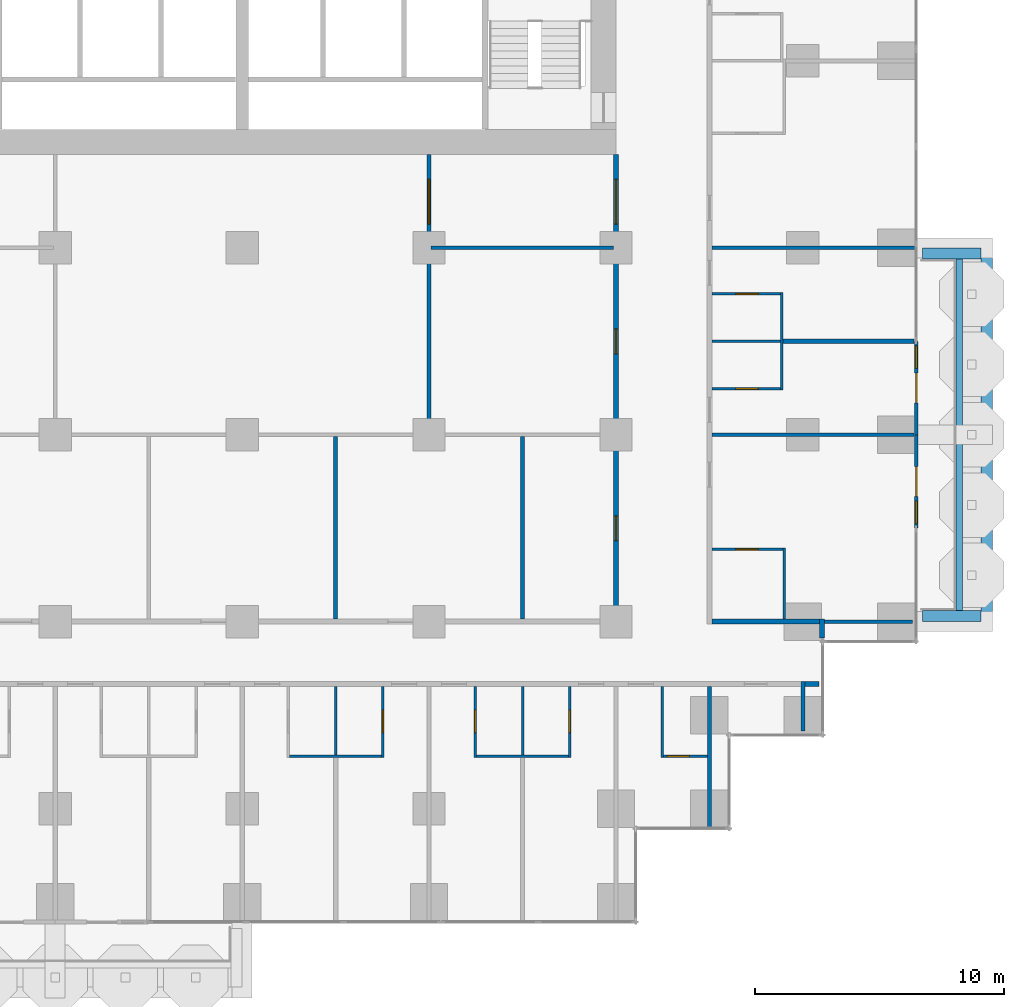
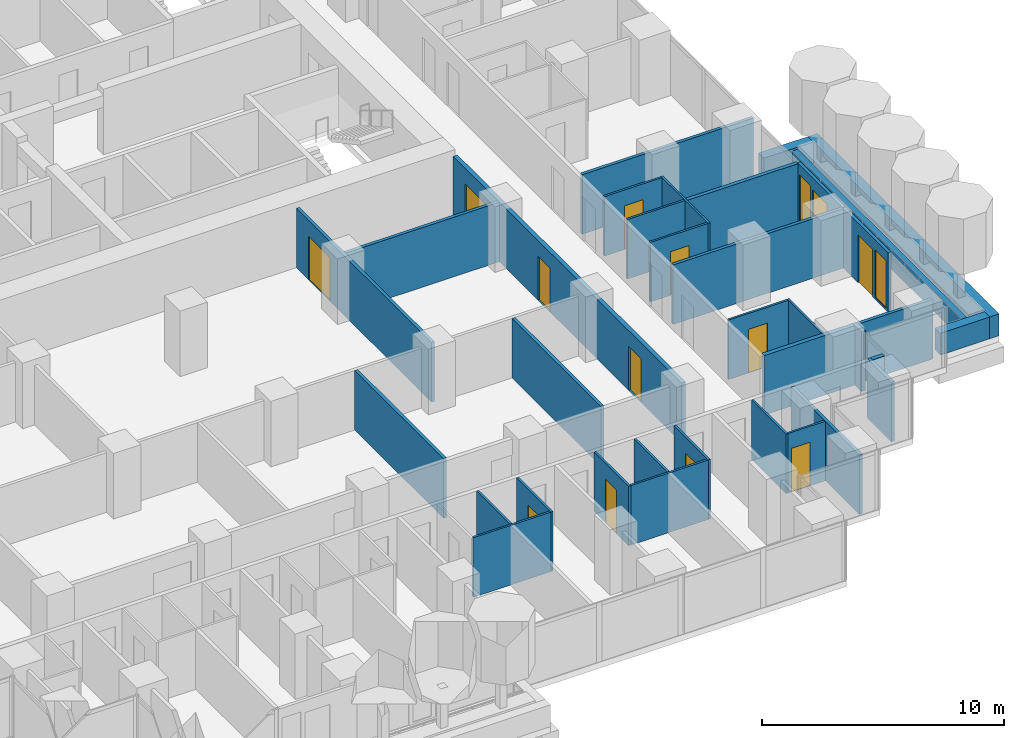
# One storey, part 12 of 19: 35 walls, 13 doors, 2 windows, 15 openings.
"""IFC4 building model written with IfcOpenShell, lengths in metres."""

from ifc_helpers import new_model, si_unit, direction, frame, frame_2d, origin, place, context, subcontext, project, spatial, rectangle, extrude, material, layer, layer_set, type_object, element, fill, save


model = new_model("IFC4")

# Units and contexts
model_context = context("Model", 3, precision=1e-05, world=origin(), true_north=direction((0.0, 1.0)))
body_context = subcontext(model_context, "Body", "Model", "MODEL_VIEW")
ifc_project = project(units=[si_unit("LENGTHUNIT", "METRE"), si_unit("AREAUNIT", "SQUARE_METRE"), si_unit("VOLUMEUNIT", "CUBIC_METRE"), si_unit("PLANEANGLEUNIT", "RADIAN"), si_unit("MASSUNIT", "GRAM", prefix="KILO")], contexts=[model_context])

# Site, building, storey
site_placement = place(None, origin())
site = spatial("IfcSite", under=ifc_project, at=site_placement, CompositionType="ELEMENT")
building_placement = place(site_placement, origin())
building = spatial("IfcBuilding", under=site, at=building_placement, Name="Pilkhan Gate Tower", CompositionType="ELEMENT")
storey_placement = place(building_placement, frame((0.0, 0.0, 95.60009765625)))
storey = spatial("IfcBuildingStorey", under=building, at=storey_placement, Name="L23", CompositionType="ELEMENT", Elevation=95.60009765625)

# Walls
ifc_material_1 = material(Name="Dense blockwork", Category="masonry")
ifc_layer_1 = layer(ifc_material_1, 0.175048828125)
ifc_layer_set_1 = layer_set([ifc_layer_1], Name="Acoustic party wall PW175")
wall_type_1 = type_object("IfcWallType", Name="Acoustic party wall PW175", PredefinedType="PARTITIONING", material=ifc_layer_set_1)
wall_1_placement = place(storey_placement, frame((96.699951171875, 63.75, 0.0), z_axis=(0.0, 0.0, 1.0), x_axis=(1.0, 0.0, 0.0)))
element("IfcWall", 1, at=wall_1_placement, inside=storey, type_object=wall_type_1, Name="Partition L23", PredefinedType="PARTITIONING", context=body_context, shape_type="SweptSolid", body=[
    extrude(rectangle(XDim=5.260009765625, YDim=0.175048828125, at=frame_2d((2.6298828125, 0.0))), origin(), (0.0, 0.0, 1.0), 3.0),
])
ifc_material_2 = material(Name="Concrete C40/50", Category="concrete")
ifc_layer_2 = layer(ifc_material_2, 0.25)
ifc_layer_set_2 = layer_set([ifc_layer_2], Name="Balcony planter BP250")
wall_type_2 = type_object("IfcWallType", Name="Balcony planter BP250", PredefinedType="USERDEFINED", material=ifc_layer_set_2)
wall_2_placement = place(storey_placement, frame((103.77490234375, 52.949951171875, 0.0), z_axis=(0.0, 0.0, 1.0), x_axis=(0.0, 1.0, 0.0)))
element("IfcWall", 2, at=wall_2_placement, inside=storey, type_object=wall_type_2, Name="Balcony planter L23 E", ObjectType="BALCONY PLANTER", PredefinedType="USERDEFINED", context=body_context, shape_type="SweptSolid", body=[
    extrude(rectangle(XDim=14.10009765625, YDim=0.25, at=frame_2d((7.050048828125, 0.0))), origin(), (0.0, 0.0, 1.0), 1.0),
])
ifc_material_3 = material(Name="Board-marked Concrete C40/50", Category="concrete")
ifc_layer_3 = layer(ifc_material_3, 0.449951171875)
ifc_layer_set_3 = layer_set([ifc_layer_3], Name="Balcony planter lip BL450")
wall_type_3 = type_object("IfcWallType", Name="Balcony planter lip BL450", PredefinedType="USERDEFINED", material=ifc_layer_set_3)
wall_3_placement = place(storey_placement, frame((104.875, 52.5, 0.0), z_axis=(0.0, 0.0, 1.0), x_axis=(0.0, 1.0, 0.0)))
element("IfcWall", 3, at=wall_3_placement, inside=storey, type_object=wall_type_3, Name="Balcony planter L23 E", ObjectType="BALCONY PLANTER", PredefinedType="USERDEFINED", context=body_context, shape_type="SweptSolid", body=[
    extrude(rectangle(XDim=15.0, YDim=0.449951171875, at=frame_2d((7.5, 0.0))), origin(), (0.0, 0.0, 1.0), 1.099853515625),
])
for number, where, z_axis, x_axis, name in (
    (4, (102.300048828125, 52.72509765625, 0.0), (0.0, 0.0, 1.0), (1.0, 0.0, 0.0), "Balcony planter L23 E"),
    (5, (102.300048828125, 67.27490234375, 0.0), (0.0, 0.0, 1.0), (1.0, 0.0, 0.0), "Balcony planter L23 E"),
):
    element("IfcWall", number, at=place(storey_placement, frame(where, z_axis=z_axis, x_axis=x_axis)), inside=storey, type_object=wall_type_3, Name=name, ObjectType="BALCONY PLANTER", PredefinedType="USERDEFINED", context=body_context, shape_type="SweptSolid", body=[
        extrude(rectangle(XDim=2.349853515625, YDim=0.449951171875, at=frame_2d((1.1748046875, 0.0))), origin(), (0.0, 0.0, 1.0), 1.099853515625),
    ])
ifc_layer_4 = layer(ifc_material_1, 0.199951171875)
ifc_layer_set_4 = layer_set([ifc_layer_4], Name="Corridor wall FW200")
wall_type_4 = type_object("IfcWallType", Name="Corridor wall FW200", PredefinedType="PARTITIONING", material=ifc_layer_set_4)
wall_4_placement = place(storey_placement, frame((97.574951171875, 50.0, 0.0), z_axis=(0.0, 0.0, 1.0), x_axis=(1.0, 0.0, 0.0)))
element("IfcWall", 6, at=wall_4_placement, inside=storey, type_object=wall_type_4, Name="Partition L23", PredefinedType="PARTITIONING", context=body_context, shape_type="SweptSolid", body=[
    extrude(rectangle(XDim=0.570068359375, YDim=0.199951171875, at=frame_2d((0.28515625, 0.0))), origin(), (0.0, 0.0, 1.0), 3.0),
])
wall_5_placement = place(storey_placement, frame((93.85009765625, 52.5, 0.0), z_axis=(0.0, 0.0, 1.0), x_axis=(1.0, 0.0, 0.0)))
element("IfcWall", 7, at=wall_5_placement, inside=storey, type_object=wall_type_4, Name="Partition L23", PredefinedType="PARTITIONING", context=body_context, shape_type="SweptSolid", body=[
    extrude(rectangle(XDim=4.31494140625, YDim=0.199951171875, at=frame_2d((2.157470703125, 0.0))), origin(), (0.0, 0.0, 1.0), 3.0),
])

# Wall, openings, doors
wall_6_placement = place(storey_placement, frame((90.0, 52.39990234375, 0.0), z_axis=(0.0, 0.0, 1.0), x_axis=(0.0, 1.0, 0.0)))
wall_6 = element("IfcWall", 8, at=wall_6_placement, inside=storey, type_object=wall_type_4, Name="Partition L23", PredefinedType="PARTITIONING", context=body_context, shape_type="SweptSolid", body=[
    extrude(rectangle(XDim=18.840087890625, YDim=0.199951171875, at=frame_2d((9.419921875, 0.0))), origin(), (0.0, 0.0, 1.0), 3.0),
])
opening_1_placement = place(wall_6_placement, frame((3.35009765625, 0.0, 0.0)))
opening_1 = element("IfcOpeningElement", 9, at=opening_1_placement, cuts=wall_6, Name="Opening L23-65", PredefinedType="OPENING", context=body_context, shape_type="SweptSolid", body=[
    extrude(rectangle(XDim=1.0, YDim=2.199951171875, at=frame_2d((0.5, 1.10009765625))), frame((0.0, 0.10986328125, 0.0), z_axis=(0.0, -1.0, 0.0), x_axis=(1.0, 0.0, 0.0)), (0.0, 0.0, 1.0), 0.219970703125),
])
opening_2_placement = place(wall_6_placement, frame((10.85009765625, 0.0, 0.0)))
opening_2 = element("IfcOpeningElement", 10, at=opening_2_placement, cuts=wall_6, Name="Opening L23-69", PredefinedType="OPENING", context=body_context, shape_type="SweptSolid", body=[
    extrude(rectangle(XDim=1.0, YDim=2.199951171875, at=frame_2d((0.5, 1.10009765625))), frame((0.0, 0.10986328125, 0.0), z_axis=(0.0, -1.0, 0.0), x_axis=(1.0, 0.0, 0.0)), (0.0, 0.0, 1.0), 0.219970703125),
])
opening_3_placement = place(wall_6_placement, frame((16.050048828125, 0.0, 0.0)))
opening_3 = element("IfcOpeningElement", 11, at=opening_3_placement, cuts=wall_6, Name="Opening L23-70", PredefinedType="OPENING", context=body_context, shape_type="SweptSolid", body=[
    extrude(rectangle(XDim=1.800048828125, YDim=2.199951171875, at=frame_2d((0.89990234375, 1.10009765625))), frame((0.0, 0.10986328125, 0.0), z_axis=(0.0, -1.0, 0.0), x_axis=(1.0, 0.0, 0.0)), (0.0, 0.0, 1.0), 0.219970703125),
])
ifc_material_4 = material(Name="Timber glazed double door, 30 minute fire resisting", Category="wood")
door_type_1 = type_object("IfcDoorType", Name="Double door D04 1800x2200", OperationType="DOUBLE_DOOR_SINGLE_SWING", PredefinedType="DOOR", material=ifc_material_4)
door_1_placement = place(opening_3_placement, origin())
door_1 = element("IfcDoor", 12, at=door_1_placement, inside=storey, type_object=door_type_1, Name="Double door", OperationType="DOUBLE_DOOR_SINGLE_SWING", OverallHeight=2.199951171875, OverallWidth=1.800048828125, PredefinedType="DOOR", context=body_context, shape_type="SweptSolid", body=[
    extrude(rectangle(XDim=1.800048828125, YDim=2.199951171875, at=frame_2d((0.89990234375, 1.10009765625))), frame((0.0, 0.02490234375, 0.0), z_axis=(0.0, -1.0, 0.0), x_axis=(1.0, 0.0, 0.0)), (0.0, 0.0, 1.0), 0.050048828125),
])
fill(opening_3, door_1)
ifc_material_5 = material(Name="Timber flush door, 30 minute fire resisting", Category="wood")
door_type_2 = type_object("IfcDoorType", Name="Room door D03 1000x2200", OperationType="SINGLE_SWING_LEFT", PredefinedType="DOOR", material=ifc_material_5)
door_2_placement = place(opening_1_placement, origin())
door_2 = element("IfcDoor", 13, at=door_2_placement, inside=storey, type_object=door_type_2, Name="Room door", OperationType="SINGLE_SWING_RIGHT", OverallHeight=2.199951171875, OverallWidth=1.0, PredefinedType="DOOR", context=body_context, shape_type="SweptSolid", body=[
    extrude(rectangle(XDim=1.0, YDim=2.199951171875, at=frame_2d((0.5, 1.10009765625))), frame((0.0, 0.02490234375, 0.0), z_axis=(0.0, -1.0, 0.0), x_axis=(1.0, 0.0, 0.0)), (0.0, 0.0, 1.0), 0.050048828125),
])
fill(opening_1, door_2)
door_3_placement = place(opening_2_placement, origin())
door_3 = element("IfcDoor", 14, at=door_3_placement, inside=storey, type_object=door_type_2, Name="Room door", OperationType="SINGLE_SWING_LEFT", OverallHeight=2.199951171875, OverallWidth=1.0, PredefinedType="DOOR", context=body_context, shape_type="SweptSolid", body=[
    extrude(rectangle(XDim=1.0, YDim=2.199951171875, at=frame_2d((0.5, 1.10009765625))), frame((0.0, 0.02490234375, 0.0), z_axis=(0.0, -1.0, 0.0), x_axis=(1.0, 0.0, 0.0)), (0.0, 0.0, 1.0), 0.050048828125),
])
fill(opening_2, door_3)

# Wall
wall_7_placement = place(storey_placement, frame((98.264892578125, 51.85498046875, 0.0), z_axis=(0.0, 0.0, 1.0), x_axis=(0.0, 1.0, 0.0)))
element("IfcWall", 15, at=wall_7_placement, inside=storey, type_object=wall_type_4, Name="Partition L23", PredefinedType="PARTITIONING", context=body_context, shape_type="SweptSolid", body=[
    extrude(rectangle(XDim=0.7451171875, YDim=0.199951171875, at=frame_2d((0.37255859375, 0.0))), origin(), (0.0, 0.0, 1.0), 3.0),
])

# Wall, openings, door, window
ifc_material_6 = material(Name="Pale anodised aluminium, clear laminated glazing", Category="aluminium")
ifc_layer_5 = layer(ifc_material_6, 0.14990234375)
ifc_layer_set_5 = layer_set([ifc_layer_5], Name="Facade infill wall IW150")
wall_type_5 = type_object("IfcWallType", Name="Facade infill wall IW150", PredefinedType="SOLIDWALL", material=ifc_layer_set_5)
wall_8_placement = place(storey_placement, frame((102.044921875, 56.25, 0.0), z_axis=(0.0, 0.0, 1.0), x_axis=(0.0, 1.0, 0.0)))
wall_8 = element("IfcWall", 16, at=wall_8_placement, inside=storey, type_object=wall_type_5, Name="Infill wall L23 E", PredefinedType="SOLIDWALL", context=body_context, shape_type="SweptSolid", body=[
    extrude(rectangle(XDim=3.75, YDim=0.14990234375, at=frame_2d((1.875, 0.0))), origin(), (0.0, 0.0, 1.0), 3.0),
])
opening_4_placement = place(wall_8_placement, frame((0.1875, 0.0, 0.10009765625)))
opening_4 = element("IfcOpeningElement", 17, at=opening_4_placement, cuts=wall_8, Name="Opening W1", PredefinedType="OPENING", context=body_context, shape_type="SweptSolid", body=[
    extrude(rectangle(XDim=0.89990234375, YDim=2.39990234375, at=frame_2d((0.449951171875, 1.199951171875))), frame((0.0, 0.0849609375, 0.0), z_axis=(0.0, -1.0, 0.0), x_axis=(1.0, 0.0, 0.0)), (0.0, 0.0, 1.0), 0.169921875),
])
opening_5_placement = place(wall_8_placement, frame((1.27490234375, 0.0, 0.0)))
opening_5 = element("IfcOpeningElement", 18, at=opening_5_placement, cuts=wall_8, Name="Opening D1", PredefinedType="OPENING", context=body_context, shape_type="SweptSolid", body=[
    extrude(rectangle(XDim=1.199951171875, YDim=2.39990234375, at=frame_2d((0.60009765625, 1.199951171875))), frame((0.0, 0.0849609375, 0.0), z_axis=(0.0, -1.0, 0.0), x_axis=(1.0, 0.0, 0.0)), (0.0, 0.0, 1.0), 0.169921875),
])
ifc_material_7 = material(Name="Pale anodised aluminium, clear glazing", Category="aluminium")
door_type_3 = type_object("IfcDoorType", Name="Balcony door D1 1200x2400", OperationType="SINGLE_SWING_LEFT", PredefinedType="DOOR", material=ifc_material_7)
door_4_placement = place(opening_5_placement, origin())
door_4 = element("IfcDoor", 19, at=door_4_placement, inside=storey, type_object=door_type_3, Name="Balcony door L23", OperationType="SINGLE_SWING_LEFT", OverallHeight=2.39990234375, OverallWidth=1.199951171875, PredefinedType="DOOR", context=body_context, shape_type="SweptSolid", body=[
    extrude(rectangle(XDim=1.199951171875, YDim=2.39990234375, at=frame_2d((0.60009765625, 1.199951171875))), frame((0.0, 0.02490234375, 0.0), z_axis=(0.0, -1.0, 0.0), x_axis=(1.0, 0.0, 0.0)), (0.0, 0.0, 1.0), 0.050048828125),
])
fill(opening_5, door_4)
ifc_material_8 = material(Name="Pale anodised aluminium, clear double glazing", Category="aluminium")
window_type = type_object("IfcWindowType", Name="Window W1 900x2400", PartitioningType="SINGLE_PANEL", PredefinedType="WINDOW", material=ifc_material_8)
window_1_placement = place(opening_4_placement, origin())
window_1 = element("IfcWindow", 20, at=window_1_placement, inside=storey, type_object=window_type, Name="Window L23", OverallHeight=2.39990234375, OverallWidth=0.89990234375, PartitioningType="SINGLE_PANEL", PredefinedType="WINDOW", context=body_context, shape_type="SweptSolid", body=[
    extrude(rectangle(XDim=0.89990234375, YDim=2.39990234375, at=frame_2d((0.449951171875, 1.199951171875))), frame((0.0, 0.030029296875, 0.0), z_axis=(0.0, -1.0, 0.0), x_axis=(1.0, 0.0, 0.0)), (0.0, 0.0, 1.0), 0.06005859375),
])
fill(opening_4, window_1)

wall_9_placement = place(storey_placement, frame((102.044921875, 60.0, 0.0), z_axis=(0.0, 0.0, 1.0), x_axis=(0.0, 1.0, 0.0)))
wall_9 = element("IfcWall", 21, at=wall_9_placement, inside=storey, type_object=wall_type_5, Name="Infill wall L23 E", PredefinedType="SOLIDWALL", context=body_context, shape_type="SweptSolid", body=[
    extrude(rectangle(XDim=3.75, YDim=0.14990234375, at=frame_2d((1.875, 0.0))), origin(), (0.0, 0.0, 1.0), 3.0),
])
opening_6_placement = place(wall_9_placement, frame((1.27490234375, 0.0, 0.0)))
opening_6 = element("IfcOpeningElement", 22, at=opening_6_placement, cuts=wall_9, Name="Opening D1", PredefinedType="OPENING", context=body_context, shape_type="SweptSolid", body=[
    extrude(rectangle(XDim=1.199951171875, YDim=2.39990234375, at=frame_2d((0.60009765625, 1.199951171875))), frame((0.0, 0.0849609375, 0.0), z_axis=(0.0, -1.0, 0.0), x_axis=(1.0, 0.0, 0.0)), (0.0, 0.0, 1.0), 0.169921875),
])
opening_7_placement = place(wall_9_placement, frame((2.66259765625, 0.0, 0.10009765625)))
opening_7 = element("IfcOpeningElement", 23, at=opening_7_placement, cuts=wall_9, Name="Opening W1", PredefinedType="OPENING", context=body_context, shape_type="SweptSolid", body=[
    extrude(rectangle(XDim=0.89990234375, YDim=2.39990234375, at=frame_2d((0.449951171875, 1.199951171875))), frame((0.0, 0.0849609375, 0.0), z_axis=(0.0, -1.0, 0.0), x_axis=(1.0, 0.0, 0.0)), (0.0, 0.0, 1.0), 0.169921875),
])
door_5_placement = place(opening_6_placement, origin())
door_5 = element("IfcDoor", 24, at=door_5_placement, inside=storey, type_object=door_type_3, Name="Balcony door L23", OperationType="SINGLE_SWING_LEFT", OverallHeight=2.39990234375, OverallWidth=1.199951171875, PredefinedType="DOOR", context=body_context, shape_type="SweptSolid", body=[
    extrude(rectangle(XDim=1.199951171875, YDim=2.39990234375, at=frame_2d((0.60009765625, 1.199951171875))), frame((0.0, 0.02490234375, 0.0), z_axis=(0.0, -1.0, 0.0), x_axis=(1.0, 0.0, 0.0)), (0.0, 0.0, 1.0), 0.050048828125),
])
fill(opening_6, door_5)
window_2_placement = place(opening_7_placement, origin())
window_2 = element("IfcWindow", 25, at=window_2_placement, inside=storey, type_object=window_type, Name="Window L23", OverallHeight=2.39990234375, OverallWidth=0.89990234375, PartitioningType="SINGLE_PANEL", PredefinedType="WINDOW", context=body_context, shape_type="SweptSolid", body=[
    extrude(rectangle(XDim=0.89990234375, YDim=2.39990234375, at=frame_2d((0.449951171875, 1.199951171875))), frame((0.0, 0.030029296875, 0.0), z_axis=(0.0, -1.0, 0.0), x_axis=(1.0, 0.0, 0.0)), (0.0, 0.0, 1.0), 0.06005859375),
])
fill(opening_7, window_2)

# Walls
ifc_material_9 = material(Name="Blockwork partition, plastered both sides", Category="masonry")
ifc_layer_6 = layer(ifc_material_9, 0.14990234375)
ifc_layer_set_6 = layer_set([ifc_layer_6], Name="Partition PW150")
wall_type_6 = type_object("IfcWallType", Name="Partition PW150", PredefinedType="PARTITIONING", material=ifc_layer_set_6)
wall_10_placement = place(storey_placement, frame((98.364990234375, 52.5, 0.0), z_axis=(0.0, 0.0, 1.0), x_axis=(1.0, 0.0, 0.0)))
element("IfcWall", 26, at=wall_10_placement, inside=storey, type_object=wall_type_6, Name="Partition L23", PredefinedType="PARTITIONING", context=body_context, shape_type="SweptSolid", body=[
    extrude(rectangle(XDim=3.530029296875, YDim=0.14990234375, at=frame_2d((1.76513671875, 0.0))), origin(), (0.0, 0.0, 1.0), 3.0),
])
wall_11_placement = place(storey_placement, frame((93.85009765625, 60.0, 0.0), z_axis=(0.0, 0.0, 1.0), x_axis=(1.0, 0.0, 0.0)))
element("IfcWall", 27, at=wall_11_placement, inside=storey, type_object=wall_type_6, Name="Partition L23", PredefinedType="PARTITIONING", context=body_context, shape_type="SweptSolid", body=[
    extrude(rectangle(XDim=8.10986328125, YDim=0.14990234375, at=frame_2d((4.054931640625, 0.0))), origin(), (0.0, 0.0, 1.0), 3.0),
])
wall_12_placement = place(storey_placement, frame((82.574951171875, 67.5, 0.0), z_axis=(0.0, 0.0, 1.0), x_axis=(1.0, 0.0, 0.0)))
element("IfcWall", 28, at=wall_12_placement, inside=storey, type_object=wall_type_6, Name="Partition L23", PredefinedType="PARTITIONING", context=body_context, shape_type="SweptSolid", body=[
    extrude(rectangle(XDim=7.324951171875, YDim=0.14990234375, at=frame_2d((3.66259765625, 0.0))), origin(), (0.0, 0.0, 1.0), 3.0),
])
wall_13_placement = place(storey_placement, frame((93.85009765625, 67.5, 0.0), z_axis=(0.0, 0.0, 1.0), x_axis=(1.0, 0.0, 0.0)))
element("IfcWall", 29, at=wall_13_placement, inside=storey, type_object=wall_type_6, Name="Partition L23", PredefinedType="PARTITIONING", context=body_context, shape_type="SweptSolid", body=[
    extrude(rectangle(XDim=8.164794921875, YDim=0.14990234375, at=frame_2d((4.08251953125, 0.0))), origin(), (0.0, 0.0, 1.0), 3.0),
])
wall_14_placement = place(storey_placement, frame((78.75, 52.60009765625, 0.0), z_axis=(0.0, 0.0, 1.0), x_axis=(0.0, 1.0, 0.0)))
element("IfcWall", 30, at=wall_14_placement, inside=storey, type_object=wall_type_6, Name="Partition L23", PredefinedType="PARTITIONING", context=body_context, shape_type="SweptSolid", body=[
    extrude(rectangle(XDim=7.324951171875, YDim=0.14990234375, at=frame_2d((3.66259765625, 0.0))), origin(), (0.0, 0.0, 1.0), 3.0),
])

# Wall, opening, door
wall_15_placement = place(storey_placement, frame((82.5, 60.074951171875, 0.0), z_axis=(0.0, 0.0, 1.0), x_axis=(0.0, 1.0, 0.0)))
wall_15 = element("IfcWall", 31, at=wall_15_placement, inside=storey, type_object=wall_type_6, Name="Partition L23", PredefinedType="PARTITIONING", context=body_context, shape_type="SweptSolid", body=[
    extrude(rectangle(XDim=11.1650390625, YDim=0.14990234375, at=frame_2d((5.58251953125, 0.0))), origin(), (0.0, 0.0, 1.0), 3.0),
])
opening_8_placement = place(wall_15_placement, frame((8.375, 0.0, 0.0)))
opening_8 = element("IfcOpeningElement", 32, at=opening_8_placement, cuts=wall_15, Name="Opening L23-68", PredefinedType="OPENING", context=body_context, shape_type="SweptSolid", body=[
    extrude(rectangle(XDim=1.800048828125, YDim=2.199951171875, at=frame_2d((0.89990234375, 1.10009765625))), frame((0.0, 0.0849609375, 0.0), z_axis=(0.0, -1.0, 0.0), x_axis=(1.0, 0.0, 0.0)), (0.0, 0.0, 1.0), 0.169921875),
])
door_6_placement = place(opening_8_placement, origin())
door_6 = element("IfcDoor", 33, at=door_6_placement, inside=storey, type_object=door_type_1, Name="Double door", OperationType="DOUBLE_DOOR_SINGLE_SWING", OverallHeight=2.199951171875, OverallWidth=1.800048828125, PredefinedType="DOOR", context=body_context, shape_type="SweptSolid", body=[
    extrude(rectangle(XDim=1.800048828125, YDim=2.199951171875, at=frame_2d((0.89990234375, 1.10009765625))), frame((0.0, 0.02490234375, 0.0), z_axis=(0.0, -1.0, 0.0), x_axis=(1.0, 0.0, 0.0)), (0.0, 0.0, 1.0), 0.050048828125),
])
fill(opening_8, door_6)

# Walls
wall_16_placement = place(storey_placement, frame((86.25, 52.60009765625, 0.0), z_axis=(0.0, 0.0, 1.0), x_axis=(0.0, 1.0, 0.0)))
element("IfcWall", 34, at=wall_16_placement, inside=storey, type_object=wall_type_6, Name="Partition L23", PredefinedType="PARTITIONING", context=body_context, shape_type="SweptSolid", body=[
    extrude(rectangle(XDim=7.324951171875, YDim=0.14990234375, at=frame_2d((3.66259765625, 0.0))), origin(), (0.0, 0.0, 1.0), 3.0),
])
wall_17_placement = place(storey_placement, frame((93.75, 44.235107421875, 0.0), z_axis=(0.0, 0.0, 1.0), x_axis=(0.0, 1.0, 0.0)))
element("IfcWall", 35, at=wall_17_placement, inside=storey, type_object=wall_type_6, Name="Partition L23", PredefinedType="PARTITIONING", context=body_context, shape_type="SweptSolid", body=[
    extrude(rectangle(XDim=5.664794921875, YDim=0.14990234375, at=frame_2d((2.83251953125, 0.0))), origin(), (0.0, 0.0, 1.0), 3.0),
])
wall_18_placement = place(storey_placement, frame((97.5, 48.10498046875, 0.0), z_axis=(0.0, 0.0, 1.0), x_axis=(0.0, 1.0, 0.0)))
element("IfcWall", 36, at=wall_18_placement, inside=storey, type_object=wall_type_6, Name="Partition L23", PredefinedType="PARTITIONING", context=body_context, shape_type="SweptSolid", body=[
    extrude(rectangle(XDim=1.9951171875, YDim=0.14990234375, at=frame_2d((0.99755859375, 0.0))), origin(), (0.0, 0.0, 1.0), 3.0),
])
ifc_material_10 = material(Name="Moisture resistant board, tiled")
ifc_layer_7 = layer(ifc_material_10, 0.10009765625)
ifc_layer_set_7 = layer_set([ifc_layer_7], Name="Wet wall PW100")
wall_type_7 = type_object("IfcWallType", Name="Wet wall PW100", PredefinedType="PARTITIONING", material=ifc_layer_set_7)
for number, where, z_axis, x_axis, name in (
    (37, (76.89990234375, 47.10009765625, 0.0), (0.0, 0.0, 1.0), (1.0, 0.0, 0.0), "Partition L23"),
    (38, (84.39990234375, 47.10009765625, 0.0), (0.0, 0.0, 1.0), (1.0, 0.0, 0.0), "Partition L23"),
):
    element("IfcWall", number, at=place(storey_placement, frame(where, z_axis=z_axis, x_axis=x_axis)), inside=storey, type_object=wall_type_7, Name=name, PredefinedType="PARTITIONING", context=body_context, shape_type="SweptSolid", body=[
        extrude(rectangle(XDim=3.7001953125, YDim=0.10009765625, at=frame_2d((1.85009765625, 0.0))), origin(), (0.0, 0.0, 1.0), 3.0),
    ])

# Wall, opening, door
wall_19_placement = place(storey_placement, frame((91.89990234375, 47.10009765625, 0.0), z_axis=(0.0, 0.0, 1.0), x_axis=(1.0, 0.0, 0.0)))
wall_19 = element("IfcWall", 39, at=wall_19_placement, inside=storey, type_object=wall_type_7, Name="Partition L23", PredefinedType="PARTITIONING", context=body_context, shape_type="SweptSolid", body=[
    extrude(rectangle(XDim=1.775146484375, YDim=0.10009765625, at=frame_2d((0.8876953125, 0.0))), origin(), (0.0, 0.0, 1.0), 3.0),
])
opening_9_placement = place(wall_19_placement, frame((0.14990234375, 0.0, 0.0)))
opening_9 = element("IfcOpeningElement", 40, at=opening_9_placement, cuts=wall_19, Name="Opening L23-25", PredefinedType="OPENING", context=body_context, shape_type="SweptSolid", body=[
    extrude(rectangle(XDim=0.89990234375, YDim=2.199951171875, at=frame_2d((0.449951171875, 1.10009765625))), frame((0.0, 0.06005859375, 0.0), z_axis=(0.0, -1.0, 0.0), x_axis=(1.0, 0.0, 0.0)), (0.0, 0.0, 1.0), 0.1201171875),
])
ifc_material_11 = material(Name="Timber flush door", Category="wood")
door_type_4 = type_object("IfcDoorType", Name="Bathroom door D02 900x2200", OperationType="SINGLE_SWING_RIGHT", PredefinedType="DOOR", material=ifc_material_11)
door_7_placement = place(opening_9_placement, origin())
door_7 = element("IfcDoor", 41, at=door_7_placement, inside=storey, type_object=door_type_4, Name="Bathroom door", OperationType="SINGLE_SWING_RIGHT", OverallHeight=2.199951171875, OverallWidth=0.89990234375, PredefinedType="DOOR", context=body_context, shape_type="SweptSolid", body=[
    extrude(rectangle(XDim=0.89990234375, YDim=2.199951171875, at=frame_2d((0.449951171875, 1.10009765625))), frame((0.0, 0.02490234375, 0.0), z_axis=(0.0, -1.0, 0.0), x_axis=(1.0, 0.0, 0.0)), (0.0, 0.0, 1.0), 0.050048828125),
])
fill(opening_9, door_7)

wall_20_placement = place(storey_placement, frame((93.85009765625, 55.39990234375, 0.0), z_axis=(0.0, 0.0, 1.0), x_axis=(1.0, 0.0, 0.0)))
wall_20 = element("IfcWall", 42, at=wall_20_placement, inside=storey, type_object=wall_type_7, Name="Partition L23", PredefinedType="PARTITIONING", context=body_context, shape_type="SweptSolid", body=[
    extrude(rectangle(XDim=2.849853515625, YDim=0.10009765625, at=frame_2d((1.4248046875, 0.0))), origin(), (0.0, 0.0, 1.0), 3.0),
])
opening_10_placement = place(wall_20_placement, frame((0.949951171875, 0.0, 0.0)))
opening_10 = element("IfcOpeningElement", 43, at=opening_10_placement, cuts=wall_20, Name="Opening L23-39", PredefinedType="OPENING", context=body_context, shape_type="SweptSolid", body=[
    extrude(rectangle(XDim=0.89990234375, YDim=2.199951171875, at=frame_2d((0.449951171875, 1.10009765625))), frame((0.0, 0.06005859375, 0.0), z_axis=(0.0, -1.0, 0.0), x_axis=(1.0, 0.0, 0.0)), (0.0, 0.0, 1.0), 0.1201171875),
])
door_8_placement = place(opening_10_placement, origin())
door_8 = element("IfcDoor", 44, at=door_8_placement, inside=storey, type_object=door_type_4, Name="Bathroom door", OperationType="SINGLE_SWING_RIGHT", OverallHeight=2.199951171875, OverallWidth=0.89990234375, PredefinedType="DOOR", context=body_context, shape_type="SweptSolid", body=[
    extrude(rectangle(XDim=0.89990234375, YDim=2.199951171875, at=frame_2d((0.449951171875, 1.10009765625))), frame((0.0, 0.02490234375, 0.0), z_axis=(0.0, -1.0, 0.0), x_axis=(1.0, 0.0, 0.0)), (0.0, 0.0, 1.0), 0.050048828125),
])
fill(opening_10, door_8)

wall_21_placement = place(storey_placement, frame((93.85009765625, 61.85009765625, 0.0), z_axis=(0.0, 0.0, 1.0), x_axis=(1.0, 0.0, 0.0)))
wall_21 = element("IfcWall", 45, at=wall_21_placement, inside=storey, type_object=wall_type_7, Name="Partition L23", PredefinedType="PARTITIONING", context=body_context, shape_type="SweptSolid", body=[
    extrude(rectangle(XDim=2.75, YDim=0.10009765625, at=frame_2d((1.375, 0.0))), origin(), (0.0, 0.0, 1.0), 3.0),
])
opening_11_placement = place(wall_21_placement, frame((0.949951171875, 0.0, 0.0)))
opening_11 = element("IfcOpeningElement", 46, at=opening_11_placement, cuts=wall_21, Name="Opening L23-41", PredefinedType="OPENING", context=body_context, shape_type="SweptSolid", body=[
    extrude(rectangle(XDim=0.89990234375, YDim=2.199951171875, at=frame_2d((0.449951171875, 1.10009765625))), frame((0.0, 0.06005859375, 0.0), z_axis=(0.0, -1.0, 0.0), x_axis=(1.0, 0.0, 0.0)), (0.0, 0.0, 1.0), 0.1201171875),
])
door_9_placement = place(opening_11_placement, origin())
door_9 = element("IfcDoor", 47, at=door_9_placement, inside=storey, type_object=door_type_4, Name="Bathroom door", OperationType="SINGLE_SWING_RIGHT", OverallHeight=2.199951171875, OverallWidth=0.89990234375, PredefinedType="DOOR", context=body_context, shape_type="SweptSolid", body=[
    extrude(rectangle(XDim=0.89990234375, YDim=2.199951171875, at=frame_2d((0.449951171875, 1.10009765625))), frame((0.0, 0.02490234375, 0.0), z_axis=(0.0, -1.0, 0.0), x_axis=(1.0, 0.0, 0.0)), (0.0, 0.0, 1.0), 0.050048828125),
])
fill(opening_11, door_9)

# Wall
wall_22_placement = place(storey_placement, frame((93.85009765625, 63.75, 0.0), z_axis=(0.0, 0.0, 1.0), x_axis=(1.0, 0.0, 0.0)))
element("IfcWall", 48, at=wall_22_placement, inside=storey, type_object=wall_type_7, Name="Partition L23", PredefinedType="PARTITIONING", context=body_context, shape_type="SweptSolid", body=[
    extrude(rectangle(XDim=2.75, YDim=0.10009765625, at=frame_2d((1.375, 0.0))), origin(), (0.0, 0.0, 1.0), 3.0),
])

# Wall, opening, door
wall_23_placement = place(storey_placement, frame((93.85009765625, 65.64990234375, 0.0), z_axis=(0.0, 0.0, 1.0), x_axis=(1.0, 0.0, 0.0)))
wall_23 = element("IfcWall", 49, at=wall_23_placement, inside=storey, type_object=wall_type_7, Name="Partition L23", PredefinedType="PARTITIONING", context=body_context, shape_type="SweptSolid", body=[
    extrude(rectangle(XDim=2.75, YDim=0.10009765625, at=frame_2d((1.375, 0.0))), origin(), (0.0, 0.0, 1.0), 3.0),
])
opening_12_placement = place(wall_23_placement, frame((0.949951171875, 0.0, 0.0)))
opening_12 = element("IfcOpeningElement", 50, at=opening_12_placement, cuts=wall_23, Name="Opening L23-43", PredefinedType="OPENING", context=body_context, shape_type="SweptSolid", body=[
    extrude(rectangle(XDim=0.89990234375, YDim=2.199951171875, at=frame_2d((0.449951171875, 1.10009765625))), frame((0.0, 0.06005859375, 0.0), z_axis=(0.0, -1.0, 0.0), x_axis=(1.0, 0.0, 0.0)), (0.0, 0.0, 1.0), 0.1201171875),
])
door_10_placement = place(opening_12_placement, origin())
door_10 = element("IfcDoor", 51, at=door_10_placement, inside=storey, type_object=door_type_4, Name="Bathroom door", OperationType="SINGLE_SWING_RIGHT", OverallHeight=2.199951171875, OverallWidth=0.89990234375, PredefinedType="DOOR", context=body_context, shape_type="SweptSolid", body=[
    extrude(rectangle(XDim=0.89990234375, YDim=2.199951171875, at=frame_2d((0.449951171875, 1.10009765625))), frame((0.0, 0.02490234375, 0.0), z_axis=(0.0, -1.0, 0.0), x_axis=(1.0, 0.0, 0.0)), (0.0, 0.0, 1.0), 0.050048828125),
])
fill(opening_12, door_10)

# Wall
wall_24_placement = place(storey_placement, frame((78.75, 47.14990234375, 0.0), z_axis=(0.0, 0.0, 1.0), x_axis=(0.0, 1.0, 0.0)))
element("IfcWall", 52, at=wall_24_placement, inside=storey, type_object=wall_type_7, Name="Partition L23", PredefinedType="PARTITIONING", context=body_context, shape_type="SweptSolid", body=[
    extrude(rectangle(XDim=2.75, YDim=0.10009765625, at=frame_2d((1.375, 0.0))), origin(), (0.0, 0.0, 1.0), 3.0),
])

# Wall, opening, door
wall_25_placement = place(storey_placement, frame((80.64990234375, 47.050048828125, 0.0), z_axis=(0.0, 0.0, 1.0), x_axis=(0.0, 1.0, 0.0)))
wall_25 = element("IfcWall", 53, at=wall_25_placement, inside=storey, type_object=wall_type_7, Name="Partition L23", PredefinedType="PARTITIONING", context=body_context, shape_type="SweptSolid", body=[
    extrude(rectangle(XDim=2.849853515625, YDim=0.10009765625, at=frame_2d((1.4248046875, 0.0))), origin(), (0.0, 0.0, 1.0), 3.0),
])
opening_13_placement = place(wall_25_placement, frame((1.0, 0.0, 0.0)))
opening_13 = element("IfcOpeningElement", 54, at=opening_13_placement, cuts=wall_25, Name="Opening L23-19", PredefinedType="OPENING", context=body_context, shape_type="SweptSolid", body=[
    extrude(rectangle(XDim=0.89990234375, YDim=2.199951171875, at=frame_2d((0.449951171875, 1.10009765625))), frame((0.0, 0.06005859375, 0.0), z_axis=(0.0, -1.0, 0.0), x_axis=(1.0, 0.0, 0.0)), (0.0, 0.0, 1.0), 0.1201171875),
])
door_11_placement = place(opening_13_placement, origin())
door_11 = element("IfcDoor", 55, at=door_11_placement, inside=storey, type_object=door_type_4, Name="Bathroom door", OperationType="SINGLE_SWING_RIGHT", OverallHeight=2.199951171875, OverallWidth=0.89990234375, PredefinedType="DOOR", context=body_context, shape_type="SweptSolid", body=[
    extrude(rectangle(XDim=0.89990234375, YDim=2.199951171875, at=frame_2d((0.449951171875, 1.10009765625))), frame((0.0, 0.02490234375, 0.0), z_axis=(0.0, -1.0, 0.0), x_axis=(1.0, 0.0, 0.0)), (0.0, 0.0, 1.0), 0.050048828125),
])
fill(opening_13, door_11)

wall_26_placement = place(storey_placement, frame((84.35009765625, 47.050048828125, 0.0), z_axis=(0.0, 0.0, 1.0), x_axis=(0.0, 1.0, 0.0)))
wall_26 = element("IfcWall", 56, at=wall_26_placement, inside=storey, type_object=wall_type_7, Name="Partition L23", PredefinedType="PARTITIONING", context=body_context, shape_type="SweptSolid", body=[
    extrude(rectangle(XDim=2.849853515625, YDim=0.10009765625, at=frame_2d((1.4248046875, 0.0))), origin(), (0.0, 0.0, 1.0), 3.0),
])
opening_14_placement = place(wall_26_placement, frame((1.0, 0.0, 0.0)))
opening_14 = element("IfcOpeningElement", 57, at=opening_14_placement, cuts=wall_26, Name="Opening L23-21", PredefinedType="OPENING", context=body_context, shape_type="SweptSolid", body=[
    extrude(rectangle(XDim=0.89990234375, YDim=2.199951171875, at=frame_2d((0.449951171875, 1.10009765625))), frame((0.0, 0.06005859375, 0.0), z_axis=(0.0, -1.0, 0.0), x_axis=(1.0, 0.0, 0.0)), (0.0, 0.0, 1.0), 0.1201171875),
])
door_12_placement = place(opening_14_placement, origin())
door_12 = element("IfcDoor", 58, at=door_12_placement, inside=storey, type_object=door_type_4, Name="Bathroom door", OperationType="SINGLE_SWING_RIGHT", OverallHeight=2.199951171875, OverallWidth=0.89990234375, PredefinedType="DOOR", context=body_context, shape_type="SweptSolid", body=[
    extrude(rectangle(XDim=0.89990234375, YDim=2.199951171875, at=frame_2d((0.449951171875, 1.10009765625))), frame((0.0, 0.02490234375, 0.0), z_axis=(0.0, -1.0, 0.0), x_axis=(1.0, 0.0, 0.0)), (0.0, 0.0, 1.0), 0.050048828125),
])
fill(opening_14, door_12)

# Wall
wall_27_placement = place(storey_placement, frame((86.25, 47.14990234375, 0.0), z_axis=(0.0, 0.0, 1.0), x_axis=(0.0, 1.0, 0.0)))
element("IfcWall", 59, at=wall_27_placement, inside=storey, type_object=wall_type_7, Name="Partition L23", PredefinedType="PARTITIONING", context=body_context, shape_type="SweptSolid", body=[
    extrude(rectangle(XDim=2.75, YDim=0.10009765625, at=frame_2d((1.375, 0.0))), origin(), (0.0, 0.0, 1.0), 3.0),
])

# Wall, opening, door
wall_28_placement = place(storey_placement, frame((88.14990234375, 47.050048828125, 0.0), z_axis=(0.0, 0.0, 1.0), x_axis=(0.0, 1.0, 0.0)))
wall_28 = element("IfcWall", 60, at=wall_28_placement, inside=storey, type_object=wall_type_7, Name="Partition L23", PredefinedType="PARTITIONING", context=body_context, shape_type="SweptSolid", body=[
    extrude(rectangle(XDim=2.849853515625, YDim=0.10009765625, at=frame_2d((1.4248046875, 0.0))), origin(), (0.0, 0.0, 1.0), 3.0),
])
opening_15_placement = place(wall_28_placement, frame((1.0, 0.0, 0.0)))
opening_15 = element("IfcOpeningElement", 61, at=opening_15_placement, cuts=wall_28, Name="Opening L23-23", PredefinedType="OPENING", context=body_context, shape_type="SweptSolid", body=[
    extrude(rectangle(XDim=0.89990234375, YDim=2.199951171875, at=frame_2d((0.449951171875, 1.10009765625))), frame((0.0, 0.06005859375, 0.0), z_axis=(0.0, -1.0, 0.0), x_axis=(1.0, 0.0, 0.0)), (0.0, 0.0, 1.0), 0.1201171875),
])
door_13_placement = place(opening_15_placement, origin())
door_13 = element("IfcDoor", 62, at=door_13_placement, inside=storey, type_object=door_type_4, Name="Bathroom door", OperationType="SINGLE_SWING_RIGHT", OverallHeight=2.199951171875, OverallWidth=0.89990234375, PredefinedType="DOOR", context=body_context, shape_type="SweptSolid", body=[
    extrude(rectangle(XDim=0.89990234375, YDim=2.199951171875, at=frame_2d((0.449951171875, 1.10009765625))), frame((0.0, 0.02490234375, 0.0), z_axis=(0.0, -1.0, 0.0), x_axis=(1.0, 0.0, 0.0)), (0.0, 0.0, 1.0), 0.050048828125),
])
fill(opening_15, door_13)

# Walls
wall_29_placement = place(storey_placement, frame((91.85009765625, 47.050048828125, 0.0), z_axis=(0.0, 0.0, 1.0), x_axis=(0.0, 1.0, 0.0)))
element("IfcWall", 63, at=wall_29_placement, inside=storey, type_object=wall_type_7, Name="Partition L23", PredefinedType="PARTITIONING", context=body_context, shape_type="SweptSolid", body=[
    extrude(rectangle(XDim=2.849853515625, YDim=0.10009765625, at=frame_2d((1.4248046875, 0.0))), origin(), (0.0, 0.0, 1.0), 3.0),
])
wall_30_placement = place(storey_placement, frame((96.64990234375, 61.800048828125, 0.0), z_axis=(0.0, 0.0, 1.0), x_axis=(0.0, 1.0, 0.0)))
element("IfcWall", 64, at=wall_30_placement, inside=storey, type_object=wall_type_7, Name="Partition L23", PredefinedType="PARTITIONING", context=body_context, shape_type="SweptSolid", body=[
    extrude(rectangle(XDim=3.89990234375, YDim=0.10009765625, at=frame_2d((1.949951171875, 0.0))), origin(), (0.0, 0.0, 1.0), 3.0),
])
wall_31_placement = place(storey_placement, frame((96.75, 52.60009765625, 0.0), z_axis=(0.0, 0.0, 1.0), x_axis=(0.0, 1.0, 0.0)))
element("IfcWall", 65, at=wall_31_placement, inside=storey, type_object=wall_type_7, Name="Partition L23", PredefinedType="PARTITIONING", context=body_context, shape_type="SweptSolid", body=[
    extrude(rectangle(XDim=2.849853515625, YDim=0.10009765625, at=frame_2d((1.4248046875, 0.0))), origin(), (0.0, 0.0, 1.0), 3.0),
])

save(model, "model.ifc")
